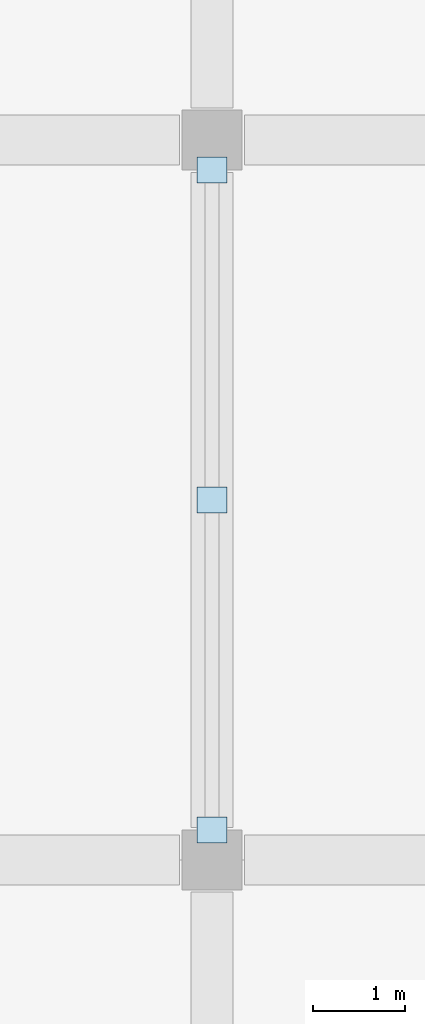
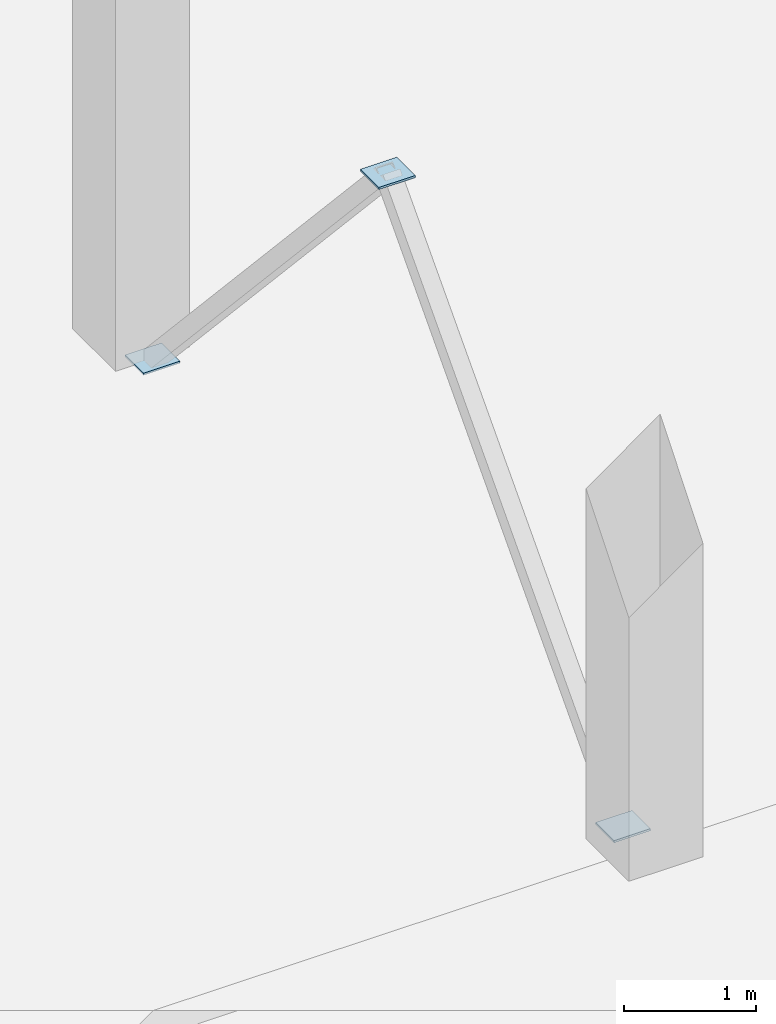
# One storey, part 65 of 79: 3 plates.
"""IFC4 building model written with IfcOpenShell, lengths in metres."""

from ifc_helpers import new_model, si_unit, direction, frame, origin, origin_2d, place, context, subcontext, project, spatial, rectangle, extrude, material, layer, layer_set, type_object, element, save


model = new_model("IFC4")

# Units and contexts
model_context = context("Model", 3, precision=1e-05, world=origin(), true_north=direction((0.0, 1.0)))
body_context = subcontext(model_context, "Body", "Model", "MODEL_VIEW")
ifc_project = project(units=[si_unit("LENGTHUNIT", "METRE"), si_unit("AREAUNIT", "SQUARE_METRE"), si_unit("VOLUMEUNIT", "CUBIC_METRE"), si_unit("PLANEANGLEUNIT", "RADIAN"), si_unit("MASSUNIT", "GRAM", prefix="KILO")], contexts=[model_context])

# Site, building, storey
site_placement = place(None, origin())
site = spatial("IfcSite", under=ifc_project, at=site_placement, CompositionType="ELEMENT")
building_placement = place(site_placement, origin())
building = spatial("IfcBuilding", under=site, at=building_placement, Name="Pellamere Symphony Hall", CompositionType="ELEMENT")
storey_placement = place(building_placement, frame((0.0, 0.0, 10.199951171875)))
storey = spatial("IfcBuildingStorey", under=building, at=storey_placement, Name="L02", CompositionType="ELEMENT", Elevation=10.199951171875)

# Plates
ifc_material = material(Name="Steel CSA G40.21 350W", Category="steel")
ifc_layer = layer(ifc_material, 0.02001953125, Name="Steel CSA G40.21 350W")
ifc_layer_set = layer_set([ifc_layer], Name="Steel CSA G40.21 350W")
plate_type = type_object("IfcPlateType", Name="Steel Connection Plate KP-06 320x280x20", PredefinedType="SHEET", material=ifc_layer_set)
for number, where, z_axis, x_axis, name in (
    (1, (164.39990234375, 54.324951171875, -0.010009765625), (0.0, 0.0, 1.0), (1.0, 0.0, 0.0), "Brace End Cap Plate 178"),
    (2, (164.39990234375, 61.47509765625, -0.010009765625), (0.0, 0.0, 1.0), (1.0, 0.0, 0.0), "Brace End Cap Plate 179"),
    (3, (164.39990234375, 57.89990234375, 3.880126953125), (0.0, 0.0, 1.0), (1.0, 0.0, 0.0), "Brace End Cap Plate 180"),
):
    element("IfcPlate", number, at=place(storey_placement, frame(where, z_axis=z_axis, x_axis=x_axis)), inside=storey, type_object=plate_type, Name=name, PredefinedType="SHEET", context=body_context, shape_type="SweptSolid", body=[
        extrude(rectangle(XDim=0.320068359375, YDim=0.280029296875, at=origin_2d()), origin(), (0.0, 0.0, 1.0), 0.02001953125),
    ])

save(model, "model.ifc")
